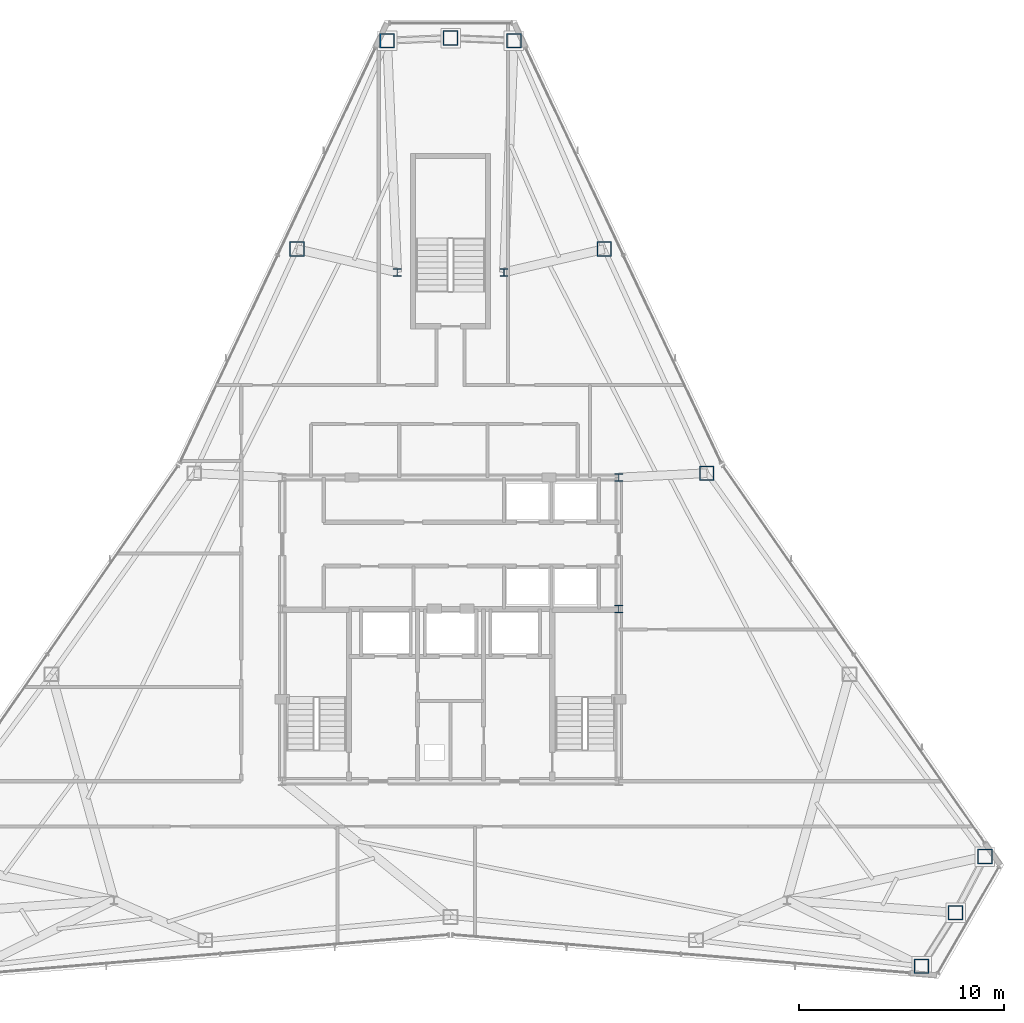
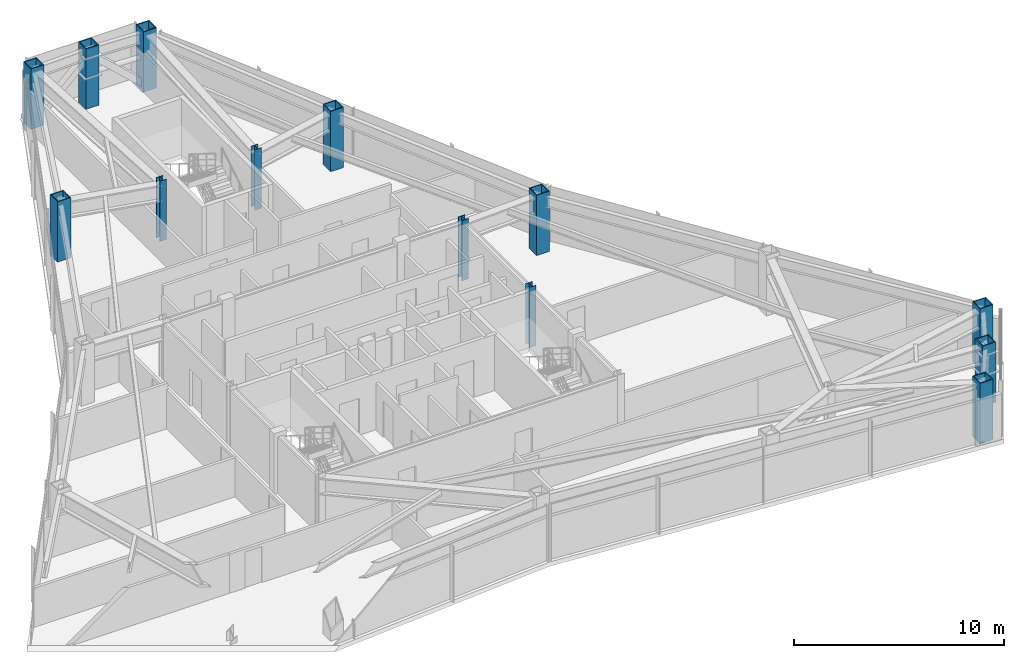
# One storey, part 2 of 12: 13 columns.
"""IFC4 building model written with IfcOpenShell, lengths in metres."""

import ifcopenshell
import ifcopenshell.guid

model = None  # the IFC model being written
_history = None  # IfcOwnerHistory: only IFC2X3 demands one
_inside = {}  # id of a spatial element -> (the spatial element, [elements in it])
_under = {}  # id of a project, library or spatial element -> (it, [spatial elements below it])
_declared = {}  # id of a project -> (the project, [libraries it declares])
_typed = {}  # id of a type object -> (the type object, [elements of that type])
_made_of = {}  # id of a material, layer set ... -> (it, [elements and type objects made of it])


def new_model(schema):
    """Start an empty IFC model of exactly this schema.

    Asked for "IFC4X3", IfcOpenShell would pick the latest addendum, in which some entities
    have other attributes; the version numbers below select the first issue.
    IFC2X3 requires an IfcOwnerHistory on every rooted entity: one is made here for all.
    """
    global model, _history
    if schema == "IFC4X3":
        model = ifcopenshell.file(schema_version=(4, 3, 0, 0))
    else:
        model = ifcopenshell.file(schema=schema)
    _inside.clear()
    _under.clear()
    _declared.clear()
    _typed.clear()
    _made_of.clear()
    _history = None
    if model.schema == "IFC2X3":
        org = make("IfcOrganization", Name="unknown")
        user = make(
            "IfcPersonAndOrganization",
            ThePerson=make("IfcPerson", FamilyName="unknown"),
            TheOrganization=org,
        )
        app = make(
            "IfcApplication",
            ApplicationDeveloper=org,
            Version="unknown",
            ApplicationFullName="unknown",
            ApplicationIdentifier="unknown",
        )
        _history = make(
            "IfcOwnerHistory",
            OwningUser=user,
            OwningApplication=app,
            ChangeAction="ADDED",
            CreationDate=0,
        )
    return model


def make(cls, **values):
    """One entity of the class cls with the attributes given. An attribute that is None is left unset."""
    return model.create_entity(
        cls, **{name: value for name, value in values.items() if value is not None}
    )


def rooted(cls, **values):
    """An entity with a GlobalId (a new one), such as an element, a storey or a relation."""
    return make(cls, GlobalId=ifcopenshell.guid.new(), OwnerHistory=_history, **values)


def si_unit(unit_type, name, prefix=None):
    """IfcSIUnit, for example si_unit("LENGTHUNIT", "METRE", prefix="MILLI")."""
    return make("IfcSIUnit", UnitType=unit_type, Prefix=prefix, Name=name)


def assignment(units):
    """IfcUnitAssignment: the units of a project."""
    return None if units is None else make("IfcUnitAssignment", Units=units)


def point(xyz):
    """IfcCartesianPoint."""
    return None if xyz is None else make("IfcCartesianPoint", Coordinates=xyz)


def direction(xyz):
    """IfcDirection."""
    return None if xyz is None else make("IfcDirection", DirectionRatios=xyz)


def frame(location, z_axis=None, x_axis=None):
    """IfcAxis2Placement3D, a coordinate frame: its origin and axes. An axis left out is left unset."""
    return make(
        "IfcAxis2Placement3D",
        Location=point(location),
        Axis=direction(z_axis),
        RefDirection=direction(x_axis),
    )


def frame_2d(location, x_axis=None):
    """IfcAxis2Placement2D, a coordinate frame in the plane: its origin and x axis."""
    return make(
        "IfcAxis2Placement2D", Location=point(location), RefDirection=direction(x_axis)
    )


def origin():
    """The frame at (0, 0, 0) with its axes left unset."""
    return frame((0.0, 0.0, 0.0))


def origin_2d():
    """The frame at (0, 0) in the plane with its x axis left unset."""
    return frame_2d((0.0, 0.0))


def place(relative_to, where):
    """IfcLocalPlacement: puts the frame where relative to a parent placement (None: the world)."""
    return make(
        "IfcLocalPlacement", PlacementRelTo=relative_to, RelativePlacement=where
    )


def context(
    kind, dimensions, precision=None, world=None, true_north=None, identifier=None
):
    """IfcGeometricRepresentationContext, for example the 3D "Model" context."""
    return make(
        "IfcGeometricRepresentationContext",
        ContextIdentifier=identifier,
        ContextType=kind,
        CoordinateSpaceDimension=dimensions,
        Precision=precision,
        WorldCoordinateSystem=world,
        TrueNorth=true_north,
    )


def subcontext(parent, identifier, kind, view, scale=None):
    """IfcGeometricRepresentationSubContext, for example "Body" below "Model"."""
    return make(
        "IfcGeometricRepresentationSubContext",
        ContextIdentifier=identifier,
        ContextType=kind,
        ParentContext=parent,
        TargetScale=scale,
        TargetView=view,
    )


def project(units=None, contexts=None):
    """IfcProject with its units and contexts."""
    return rooted(
        "IfcProject",
        Name="project",
        RepresentationContexts=contexts,
        UnitsInContext=assignment(units),
    )


def spatial(cls, under=None, at=None, **own):
    """A site, building, storey or space (cls), placed at a placement, below another one or the project."""
    s = rooted(cls, ObjectPlacement=at, **own)
    if under is not None:
        _under.setdefault(under.id(), (under, []))[1].append(s)
    return s


def profile(cls, at=None, kind="AREA", **sizes):
    """A parametric profile (cls). Its sizes go by their IFC names, for example OverallWidth=200.0."""
    return make(cls, ProfileType=kind, Position=at, **sizes)


def hollow_rectangle(**sizes):
    """IfcRectangleHollowProfileDef."""
    return profile("IfcRectangleHollowProfileDef", **sizes)


def i_section(**sizes):
    """IfcIShapeProfileDef."""
    return profile("IfcIShapeProfileDef", **sizes)


def extrude(swept, where, along, depth):
    """IfcExtrudedAreaSolid: the profile swept, set in the frame where, extruded along a direction by depth."""
    return make(
        "IfcExtrudedAreaSolid",
        SweptArea=swept,
        Position=where,
        ExtrudedDirection=direction(along),
        Depth=depth,
    )


def shape(context_of_items, identifier, shape_type, items):
    """IfcShapeRepresentation: the items that make up one representation, for example the "Body"."""
    return make(
        "IfcShapeRepresentation",
        ContextOfItems=context_of_items,
        RepresentationIdentifier=identifier,
        RepresentationType=shape_type,
        Items=items,
    )


def material(Name=None, Category=None):
    """IfcMaterial."""
    return make("IfcMaterial", Name=Name, Category=Category)


def material_profile(
    of_material, cross_section, Name=None, Category=None, Priority=None
):
    """IfcMaterialProfile: a cross section and its material."""
    return make(
        "IfcMaterialProfile",
        Name=Name,
        Material=of_material,
        Profile=cross_section,
        Priority=Priority,
        Category=Category,
    )


def profile_set(profiles, Name=None, composite=None):
    """IfcMaterialProfileSet."""
    return make(
        "IfcMaterialProfileSet",
        Name=Name,
        MaterialProfiles=profiles,
        CompositeProfile=composite,
    )


def made_of(thing, what):
    """Note that an element or type object is made of a material, layer set ...; save() writes the relation."""
    if what is not None:
        _made_of.setdefault(what.id(), (what, []))[1].append(thing)
    return thing


def type_object(cls, material=None, **own):
    """A type object (cls), such as IfcWallType, which elements share."""
    return made_of(rooted(cls, **own), material)


def element(
    cls,
    number,
    at=None,
    inside=None,
    cuts=None,
    type_object=None,
    material=None,
    context=None,
    identifier="Body",
    shape_type=None,
    held_by="IfcProductDefinitionShape",
    body=None,
    shapes=None,
    **own,
):
    """One element of the class cls, such as IfcWall. Its Tag is "e" and its number.

    at: its placement. inside: the storey or other place that contains it. cuts: it is an
    opening in that element (IfcRelVoidsElement). A single representation is given by context,
    identifier, shape_type and body (its items); several are given by shapes. held_by: the class
    of the entity that holds the representations. save() writes the other relations.
    """
    e = rooted(cls, Tag="e%d" % number, ObjectPlacement=at, **own)
    if body is not None:
        shapes = [shape(context, identifier, shape_type, body)]
    if shapes is not None:
        e.Representation = make(held_by, Representations=shapes)
    if inside is not None:
        _inside.setdefault(inside.id(), (inside, []))[1].append(e)
    if cuts is not None:
        rooted(
            "IfcRelVoidsElement", RelatingBuildingElement=cuts, RelatedOpeningElement=e
        )
    if type_object is not None:
        _typed.setdefault(type_object.id(), (type_object, []))[1].append(e)
    return made_of(e, material)


def aggregate(whole, parts):
    """IfcRelAggregates: a whole, such as a stair, and the parts it consists of."""
    return rooted("IfcRelAggregates", RelatingObject=whole, RelatedObjects=parts)


def save(model, path):
    """Write the relations noted so far, then the file.

    IfcRelAggregates (storeys below a building ...), IfcRelContainedInSpatialStructure (elements
    in a storey), IfcRelDefinesByType, IfcRelAssociatesMaterial and IfcRelDeclares: one each for
    every whole, place, type object, material and project.
    """
    for whole, parts in _under.values():
        aggregate(whole, parts)
    for where, things in _inside.values():
        rooted(
            "IfcRelContainedInSpatialStructure",
            RelatedElements=things,
            RelatingStructure=where,
        )
    for kind, things in _typed.values():
        rooted("IfcRelDefinesByType", RelatedObjects=things, RelatingType=kind)
    for what, things in _made_of.values():
        rooted("IfcRelAssociatesMaterial", RelatedObjects=things, RelatingMaterial=what)
    for by, libraries in _declared.values():
        rooted("IfcRelDeclares", RelatingContext=by, RelatedDefinitions=libraries)
    model.write(path)


model = new_model("IFC4")

# Units and contexts
model_context = context("Model", 3, precision=1e-05, world=origin(), true_north=direction((0.0, 1.0)))
body_context = subcontext(model_context, "Body", "Model", "MODEL_VIEW")
ifc_project = project(units=[si_unit("LENGTHUNIT", "METRE"), si_unit("AREAUNIT", "SQUARE_METRE"), si_unit("VOLUMEUNIT", "CUBIC_METRE"), si_unit("PLANEANGLEUNIT", "RADIAN"), si_unit("MASSUNIT", "GRAM", prefix="KILO")], contexts=[model_context])

# Site, building, storey
site_placement = place(None, origin())
site = spatial("IfcSite", under=ifc_project, at=site_placement, CompositionType="ELEMENT")
building_placement = place(site_placement, origin())
building = spatial("IfcBuilding", under=site, at=building_placement, Name="Varakhsha Concourse Tower", CompositionType="ELEMENT")
storey_placement = place(building_placement, frame((0.0, 0.0, 232.89990234375)))
storey = spatial("IfcBuildingStorey", under=building, at=storey_placement, Name="L66", CompositionType="ELEMENT", Elevation=232.89990234375)

# Columns
ifc_material_1 = material(Name="Structural Steel ASTM A992 Grade 50", Category="steel")
ifc_material_profile_1 = material_profile(ifc_material_1, i_section(OverallWidth=0.3740234375, OverallDepth=0.3720703125, WebThickness=0.01611328125, FlangeThickness=0.02587890625, at=origin_2d()), Name="W14X132")
ifc_profile_set_1 = profile_set([ifc_material_profile_1], Name="Structural Steel ASTM A992 Grade 50")
column_type_1 = type_object("IfcColumnType", Name="CL-CORE-W14X132", PredefinedType="COLUMN", material=ifc_profile_set_1)
for number, where, z_axis, x_axis, name in (
    (1, (48.199951171875, 24.800048828125, 0.0), (0.0, 0.0, 1.0), (1.0, 0.0, 0.0), "L66 Core Column CC-ME"),
    (2, (48.199951171875, 31.199951171875, 0.0), (0.0, 0.0, 1.0), (1.0, 0.0, 0.0), "L66 Core Column CC-NE"),
    (3, (37.39990234375, 41.199951171875, 0.0), (0.0, 0.0, 1.0), (1.0, 0.0, 0.0), "L66 Core Column NS-W"),
    (4, (42.60009765625, 41.199951171875, 0.0), (0.0, 0.0, 1.0), (1.0, 0.0, 0.0), "L66 Core Column NS-E"),
):
    element("IfcColumn", number, at=place(storey_placement, frame(where, z_axis=z_axis, x_axis=x_axis)), inside=storey, type_object=column_type_1, Name=name, PredefinedType="COLUMN", context=body_context, shape_type="SweptSolid", body=[
        extrude(i_section(OverallWidth=0.3740234375, OverallDepth=0.3720703125, WebThickness=0.01611328125, FlangeThickness=0.02587890625, at=origin_2d()), origin(), (0.0, 0.0, 1.0), 3.5),
    ])
ifc_material_2 = material(Name="Structural Steel ASTM A572 Grade 50", Category="steel")
ifc_material_profile_2 = material_profile(ifc_material_2, hollow_rectangle(XDim=0.719970703125, YDim=0.719970703125, WallThickness=0.050048828125, at=origin_2d()), Name="BOX 720x720x50")
ifc_profile_set_2 = profile_set([ifc_material_profile_2], Name="Structural Steel ASTM A572 Grade 50")
column_type_2 = type_object("IfcColumnType", Name="CL-TUBE-720", PredefinedType="COLUMN", material=ifc_profile_set_2)
for number, where, z_axis, x_axis, name in (
    (5, (43.090087890625, 52.491455078125, 0.0), (0.0, 0.0, 1.0), (1.0, 0.0, 0.0), "L66 Framed-Tube Column TC01"),
    (6, (40.0, 52.617431640625, 0.0), (0.0, 0.0, 1.0), (1.0, 0.0, 0.0), "L66 Framed-Tube Column TC02"),
    (7, (36.909912109375, 52.491455078125, 0.0), (0.0, 0.0, 1.0), (1.0, 0.0, 0.0), "L66 Framed-Tube Column TC03"),
    (8, (32.512939453125, 42.332275390625, 0.0), (0.0, 0.0, 1.0), (1.0, 0.0, 0.0), "L66 Framed-Tube Column TC04"),
    (9, (62.9560546875, 7.378173828125, 0.0), (0.0, 0.0, 1.0), (1.0, 0.0, 0.0), "L66 Framed-Tube Column TC13"),
    (10, (64.610107421875, 9.9912109375, 0.0), (0.0, 0.0, 1.0), (1.0, 0.0, 0.0), "L66 Framed-Tube Column TC14"),
    (11, (66.046142578125, 12.73046875, 0.0), (0.0, 0.0, 1.0), (1.0, 0.0, 0.0), "L66 Framed-Tube Column TC15"),
    (12, (52.489990234375, 31.4111328125, 0.0), (0.0, 0.0, 1.0), (1.0, 0.0, 0.0), "L66 Framed-Tube Column TC17"),
    (13, (47.487060546875, 42.332275390625, 0.0), (0.0, 0.0, 1.0), (1.0, 0.0, 0.0), "L66 Framed-Tube Column TC18"),
):
    element("IfcColumn", number, at=place(storey_placement, frame(where, z_axis=z_axis, x_axis=x_axis)), inside=storey, type_object=column_type_2, Name=name, PredefinedType="COLUMN", context=body_context, shape_type="SweptSolid", body=[
        extrude(hollow_rectangle(XDim=0.719970703125, YDim=0.719970703125, WallThickness=0.050048828125, at=origin_2d()), origin(), (0.0, 0.0, 1.0), 3.5),
    ])

save(model, "model.ifc")
